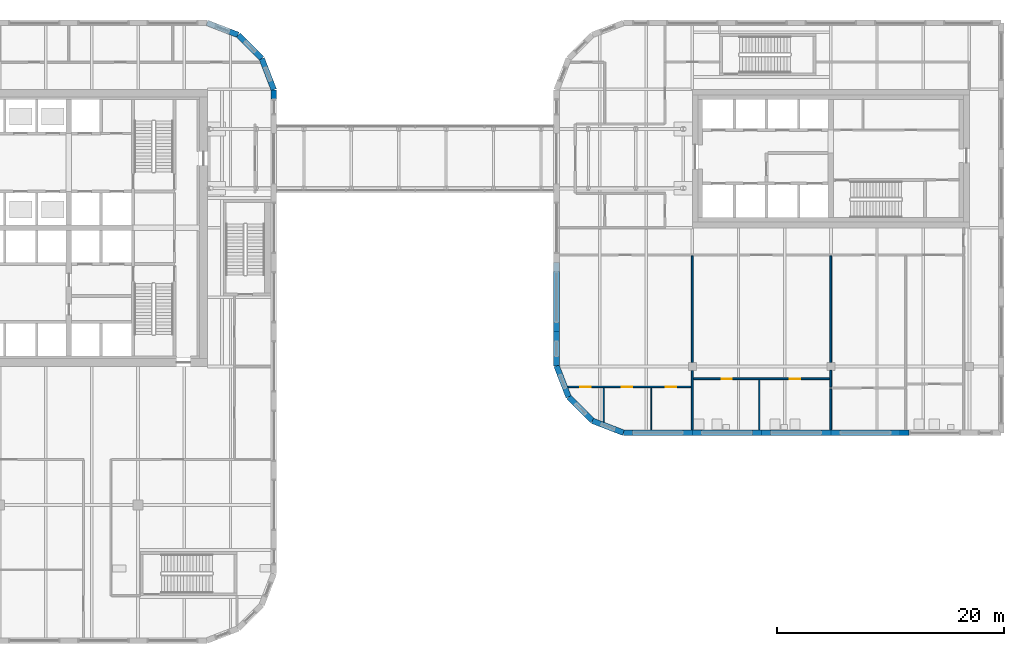
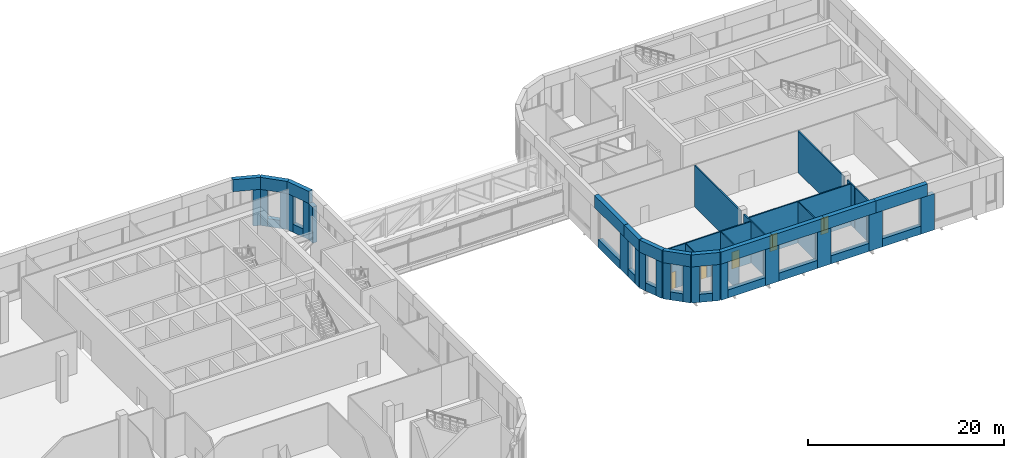
# One storey, part 26 of 36: 52 walls, 5 doors, 5 openings.
"""IFC4 building model written with IfcOpenShell, lengths in metres."""

from ifc_helpers import new_model, si_unit, direction, frame, frame_2d, origin, place, context, subcontext, project, spatial, polyline, rectangle, outline, extrude, faceted_brep, source, transform, mapped, material, layer, layer_set, type_object, element, fill, save


model = new_model("IFC4")

# Units and contexts
model_context = context("Model", 3, precision=1e-05, world=origin(), true_north=direction((0.0, 1.0)))
body_context = subcontext(model_context, "Body", "Model", "MODEL_VIEW")
ifc_project = project(units=[si_unit("LENGTHUNIT", "METRE"), si_unit("AREAUNIT", "SQUARE_METRE"), si_unit("VOLUMEUNIT", "CUBIC_METRE"), si_unit("PLANEANGLEUNIT", "RADIAN"), si_unit("MASSUNIT", "GRAM", prefix="KILO")], contexts=[model_context])

# Site, building, storey
site_placement = place(None, origin())
site = spatial("IfcSite", under=ifc_project, at=site_placement, CompositionType="ELEMENT")
building_placement = place(site_placement, origin())
building = spatial("IfcBuilding", under=site, at=building_placement, Name="Tessera Gate Towers", CompositionType="ELEMENT")
storey_placement = place(building_placement, frame((0.0, 0.0, 106.60009765625)))
storey = spatial("IfcBuildingStorey", under=building, at=storey_placement, Name="L26", CompositionType="ELEMENT", Elevation=106.60009765625)

# Walls
ifc_material_1 = material(Name="Gypsum board on steel studs", Category="steel")
ifc_layer_1 = layer(ifc_material_1, 0.10009765625)
ifc_layer_set_1 = layer_set([ifc_layer_1], Name="PARTITION 100")
wall_type_1 = type_object("IfcWallType", Name="PARTITION 100", PredefinedType="PARTITIONING", material=ifc_layer_set_1)
wall_1_placement = place(storey_placement, frame((93.972900390625, 18.800048828125, 0.0), z_axis=(0.0, 0.0, 1.0), x_axis=(0.0, 1.0, 0.0)))
element("IfcWall", 1, at=wall_1_placement, inside=storey, type_object=wall_type_1, Name="T2-L26-PW-001", PredefinedType="PARTITIONING", context=body_context, shape_type="SweptSolid", body=[
    extrude(rectangle(XDim=3.698974609375, YDim=0.10009765625, at=frame_2d((1.849609375, 0.0))), origin(), (0.0, 0.0, 1.0), 5.1669921875),
])
wall_2_placement = place(storey_placement, frame((103.493896484375, 18.800048828125, 0.0), z_axis=(0.0, 0.0, 1.0), x_axis=(0.0, 1.0, 0.0)))
element("IfcWall", 2, at=wall_2_placement, inside=storey, type_object=wall_type_1, Name="T2-L26-PW-003", PredefinedType="PARTITIONING", context=body_context, shape_type="SweptSolid", body=[
    extrude(rectangle(XDim=4.424072265625, YDim=0.10009765625, at=frame_2d((2.2119140625, 0.0))), origin(), (0.0, 0.0, 1.0), 5.1669921875),
])
wall_3_placement = place(storey_placement, frame((89.800048828125, 19.49169921875, 0.0), z_axis=(0.0, 0.0, 1.0), x_axis=(0.0, 1.0, 0.0)))
element("IfcWall", 3, at=wall_3_placement, inside=storey, type_object=wall_type_1, Name="T2-L26-PW-007", PredefinedType="PARTITIONING", context=body_context, shape_type="SweptSolid", body=[
    extrude(rectangle(XDim=3.00732421875, YDim=0.10009765625, at=frame_2d((1.503662109375, 0.0))), origin(), (0.0, 0.0, 1.0), 5.1669921875),
])
ifc_material_2 = material(Name="Gypsum board on steel studs, mineral wool", Category="steel")
ifc_layer_2 = layer(ifc_material_2, 0.14990234375)
ifc_layer_set_2 = layer_set([ifc_layer_2], Name="TENANCY WALL 150")
wall_type_2 = type_object("IfcWallType", Name="TENANCY WALL 150", PredefinedType="PARTITIONING", material=ifc_layer_set_2)
wall_4_placement = place(storey_placement, frame((97.60009765625, 18.800048828125, 0.0), z_axis=(0.0, 0.0, 1.0), x_axis=(0.0, 1.0, 0.0)))
element("IfcWall", 4, at=wall_4_placement, inside=storey, type_object=wall_type_2, Name="T2-L26-PW-002", PredefinedType="PARTITIONING", context=body_context, shape_type="SweptSolid", body=[
    extrude(rectangle(XDim=5.2490234375, YDim=0.14990234375, at=frame_2d((2.62451171875, 0.0))), origin(), (0.0, 0.0, 1.0), 5.1669921875),
])
wall_5_placement = place(storey_placement, frame((109.800048828125, 18.800048828125, 0.0), z_axis=(0.0, 0.0, 1.0), x_axis=(0.0, 1.0, 0.0)))
element("IfcWall", 5, at=wall_5_placement, inside=storey, type_object=wall_type_2, Name="T2-L26-PW-004", PredefinedType="PARTITIONING", context=body_context, shape_type="SweptSolid", body=[
    extrude(rectangle(XDim=3.6240234375, YDim=0.14990234375, at=frame_2d((1.81201171875, 0.0))), origin(), (0.0, 0.0, 1.0), 5.1669921875),
])

# Wall, openings, doors
wall_6_placement = place(storey_placement, frame((97.52392578125, 22.594970703125, 0.0), z_axis=(0.0, 0.0, 1.0), x_axis=(-1.0, 0.0, 0.0)))
wall_6 = element("IfcWall", 6, at=wall_6_placement, inside=storey, type_object=wall_type_2, Name="T2-L26-PW-009", PredefinedType="PARTITIONING", context=body_context, shape_type="SweptSolid", body=[
    extrude(rectangle(XDim=10.884033203125, YDim=0.14990234375, at=frame_2d((5.44189453125, 0.0))), origin(), (0.0, 0.0, 1.0), 5.1669921875),
])
shared_shape_1 = source(origin(), body_context, "Body", "SweptSolid", [
    extrude(rectangle(XDim=0.89990234375, YDim=2.10009765625, at=frame_2d((0.449951171875, 1.050048828125))), frame((0.0, 0.0849609375, 0.0), z_axis=(0.0, -1.0, 0.0), x_axis=(1.0, 0.0, 0.0)), (0.0, 0.0, 1.0), 0.169921875),
])
opening_1_placement = place(wall_6_placement, frame((8.884033203125, 0.0, 0.0)))
opening_1 = element("IfcOpeningElement", 7, at=opening_1_placement, cuts=wall_6, Name="Opening D190-B11-02", PredefinedType="OPENING", context=body_context, shape_type="MappedRepresentation", body=[
    mapped(shared_shape_1, transform((0.0, 0.0, 0.0), scale=1.0)),
])
opening_2_placement = place(wall_6_placement, frame((1.35009765625, 0.0, 0.0)))
opening_2 = element("IfcOpeningElement", 8, at=opening_2_placement, cuts=wall_6, Name="Opening D190-B11-03", PredefinedType="OPENING", context=body_context, shape_type="MappedRepresentation", body=[
    mapped(shared_shape_1, transform((0.0, 0.0, 0.0), scale=1.0)),
])
opening_3_placement = place(wall_6_placement, frame((5.22412109375, 0.0, 0.0)))
opening_3 = element("IfcOpeningElement", 9, at=opening_3_placement, cuts=wall_6, Name="Opening D190-B11-04", PredefinedType="OPENING", context=body_context, shape_type="MappedRepresentation", body=[
    mapped(shared_shape_1, transform((0.0, 0.0, 0.0), scale=1.0)),
])
ifc_material_3 = material(Name="Timber door leaf in steel frame", Category="steel")
door_type = type_object("IfcDoorType", Name="INTERNAL DOOR 900 NOT RATED", OperationType="NOTDEFINED", PredefinedType="DOOR", material=ifc_material_3)
shared_shape_2 = source(origin(), body_context, "Body", "SweptSolid", [
    extrude(rectangle(XDim=0.89990234375, YDim=2.10009765625, at=frame_2d((0.449951171875, 1.050048828125))), frame((0.0, 0.02490234375, 0.0), z_axis=(0.0, -1.0, 0.0), x_axis=(1.0, 0.0, 0.0)), (0.0, 0.0, 1.0), 0.050048828125),
])
door_1_placement = place(opening_1_placement, origin())
door_1 = element("IfcDoor", 10, at=door_1_placement, inside=storey, type_object=door_type, Name="T2-L26-PD-002", OperationType="SINGLE_SWING_RIGHT", OverallHeight=2.10009765625, OverallWidth=0.89990234375, PredefinedType="DOOR", context=body_context, shape_type="MappedRepresentation", body=[
    mapped(shared_shape_2, transform((0.0, 0.0, 0.0), scale=1.0)),
])
fill(opening_1, door_1)
door_2_placement = place(opening_2_placement, origin())
door_2 = element("IfcDoor", 11, at=door_2_placement, inside=storey, type_object=door_type, Name="T2-L26-PD-003", OperationType="SINGLE_SWING_RIGHT", OverallHeight=2.10009765625, OverallWidth=0.89990234375, PredefinedType="DOOR", context=body_context, shape_type="MappedRepresentation", body=[
    mapped(shared_shape_2, transform((0.0, 0.0, 0.0), scale=1.0)),
])
fill(opening_2, door_2)
door_3_placement = place(opening_3_placement, origin())
door_3 = element("IfcDoor", 12, at=door_3_placement, inside=storey, type_object=door_type, Name="T2-L26-PD-004", OperationType="SINGLE_SWING_RIGHT", OverallHeight=2.10009765625, OverallWidth=0.89990234375, PredefinedType="DOOR", context=body_context, shape_type="MappedRepresentation", body=[
    mapped(shared_shape_2, transform((0.0, 0.0, 0.0), scale=1.0)),
])
fill(opening_3, door_3)

# Wall
wall_7_placement = place(storey_placement, frame((109.800048828125, 22.575927734375, 0.0), z_axis=(0.0, 0.0, 1.0), x_axis=(0.0, 1.0, 0.0)))
element("IfcWall", 13, at=wall_7_placement, inside=storey, type_object=wall_type_2, Name="T2-L26-PW-010", PredefinedType="PARTITIONING", context=body_context, shape_type="SweptSolid", body=[
    extrude(rectangle(XDim=1.47314453125, YDim=0.14990234375, at=frame_2d((0.736572265625, 0.0))), origin(), (0.0, 0.0, 1.0), 5.1669921875),
])

# Wall, openings, doors
wall_8_placement = place(storey_placement, frame((109.72412109375, 23.300048828125, 0.0), z_axis=(0.0, 0.0, 1.0), x_axis=(-1.0, 0.0, 0.0)))
wall_8 = element("IfcWall", 14, at=wall_8_placement, inside=storey, type_object=wall_type_2, Name="T2-L26-PW-013", PredefinedType="PARTITIONING", context=body_context, shape_type="SweptSolid", body=[
    extrude(rectangle(XDim=12.048095703125, YDim=0.14990234375, at=frame_2d((6.02392578125, 0.0))), origin(), (0.0, 0.0, 1.0), 5.1669921875),
])
opening_4_placement = place(wall_8_placement, frame((8.64794921875, 0.0, 0.0)))
opening_4 = element("IfcOpeningElement", 15, at=opening_4_placement, cuts=wall_8, Name="Opening D190-B11-06", PredefinedType="OPENING", context=body_context, shape_type="MappedRepresentation", body=[
    mapped(shared_shape_1, transform((0.0, 0.0, 0.0), scale=1.0)),
])
opening_5_placement = place(wall_8_placement, frame((2.63037109375, 0.0, 0.0)))
opening_5 = element("IfcOpeningElement", 16, at=opening_5_placement, cuts=wall_8, Name="Opening D190-B11-07", PredefinedType="OPENING", context=body_context, shape_type="MappedRepresentation", body=[
    mapped(shared_shape_1, transform((0.0, 0.0, 0.0), scale=1.0)),
])
door_4_placement = place(opening_4_placement, origin())
door_4 = element("IfcDoor", 17, at=door_4_placement, inside=storey, type_object=door_type, Name="T2-L26-PD-009", OperationType="SINGLE_SWING_RIGHT", OverallHeight=2.10009765625, OverallWidth=0.89990234375, PredefinedType="DOOR", context=body_context, shape_type="MappedRepresentation", body=[
    mapped(shared_shape_2, transform((0.0, 0.0, 0.0), scale=1.0)),
])
fill(opening_4, door_4)
door_5_placement = place(opening_5_placement, origin())
door_5 = element("IfcDoor", 18, at=door_5_placement, inside=storey, type_object=door_type, Name="T2-L26-PD-010", OperationType="SINGLE_SWING_RIGHT", OverallHeight=2.10009765625, OverallWidth=0.89990234375, PredefinedType="DOOR", context=body_context, shape_type="MappedRepresentation", body=[
    mapped(shared_shape_2, transform((0.0, 0.0, 0.0), scale=1.0)),
])
fill(opening_5, door_5)

# Walls
for number, where, z_axis, x_axis, name in (
    (19, (97.60009765625, 24.7509765625, 0.0), (0.0, 0.0, 1.0), (0.0, 1.0, 0.0), "T2-L26-PW-014"),
    (20, (109.800048828125, 24.7509765625, 0.0), (0.0, 0.0, 1.0), (0.0, 1.0, 0.0), "T2-L26-PW-015"),
):
    element("IfcWall", number, at=place(storey_placement, frame(where, z_axis=z_axis, x_axis=x_axis)), inside=storey, type_object=wall_type_2, Name=name, PredefinedType="PARTITIONING", context=body_context, shape_type="SweptSolid", body=[
        extrude(rectangle(XDim=9.373046875, YDim=0.14990234375, at=frame_2d((4.6865234375, 0.0))), origin(), (0.0, 0.0, 1.0), 5.1669921875),
    ])
ifc_material_4 = material(Name="Precast concrete C60/75 white", Category="concrete")
ifc_layer_3 = layer(ifc_material_4, 0.5)
ifc_layer_set_3 = layer_set([ifc_layer_3], Name="RB1 ring band panel")
wall_type_3 = type_object("IfcWallType", Name="RB1 ring band panel", PredefinedType="SOLIDWALL", material=ifc_layer_set_3)
shared_shape_3 = source(origin(), body_context, "Body", "Brep", [
    faceted_brep([(0.0, -0.25, 0.0), (0.800048828125, -0.25, 0.0), (0.800048828125, -0.25, 4.5), (0.0, -0.25, 4.5), (0.046630859375, 0.25, 4.5), (0.800048828125, 0.25, 4.5), (0.800048828125, 0.25, 0.0), (0.046630859375, 0.25, 0.0), (0.0, 0.0, 0.0), (0.0, 0.0, 4.5)], [[[0, 1, 2, 3]], [[4, 5, 6, 7]], [[7, 6, 1, 0, 8]], [[5, 4, 9, 3, 2]], [[8, 0, 3, 9]], [[7, 8, 9, 4]], [[1, 6, 5, 2]]]),
])
for number, where, z_axis, x_axis, name in (
    (21, (60.75, 48.75341796875, 0.0), (0.0, 0.0, 1.0), (-0.359735468129, 0.933054335486, 0.0), "Ring band panel T1 RB1-0146"),
    (22, (91.546630859375, 18.550048828125, 0.0), (0.0, 0.0, 1.0), (1.0, 0.0, 0.0), "Ring band panel T2 RB1-0023"),
    (23, (85.64990234375, 24.446533203125, 0.0), (0.0, 0.0, 1.0), (0.360103552367, -0.932912338632, 0.0), "Ring band panel T2 RB1-0107"),
):
    element("IfcWall", number, at=place(storey_placement, frame(where, z_axis=z_axis, x_axis=x_axis)), inside=storey, type_object=wall_type_3, Name=name, PredefinedType="SOLIDWALL", context=body_context, shape_type="MappedRepresentation", body=[
        mapped(shared_shape_3, transform((0.0, 0.0, 0.0), scale=1.0)),
    ])
shared_shape_4 = source(origin(), body_context, "Body", "Brep", [
    faceted_brep([(0.0, -0.25, 0.0), (1.599853515625, -0.25, 0.0), (1.599853515625, -0.25, 4.5), (0.0, -0.25, 4.5), (0.0, 0.25, 4.5), (1.599853515625, 0.25, 4.5), (1.599853515625, 0.25, 0.0), (0.0, 0.25, 0.0)], [[[0, 1, 2, 3]], [[4, 5, 6, 7]], [[7, 6, 1, 0]], [[5, 4, 3, 2]], [[4, 7, 0, 3]], [[1, 6, 5, 2]]]),
])
for number, where, z_axis, x_axis, name in (
    (24, (96.800048828125, 18.550048828125, 0.0), (0.0, 0.0, 1.0), (1.0, 0.0, 0.0), "Ring band panel T2 RB1-0024"),
    (25, (115.10009765625, 18.550048828125, 0.0), (0.0, 0.0, 1.0), (1.0, 0.0, 0.0), "Ring band panel T2 RB1-0027"),
):
    element("IfcWall", number, at=place(storey_placement, frame(where, z_axis=z_axis, x_axis=x_axis)), inside=storey, type_object=wall_type_3, Name=name, PredefinedType="SOLIDWALL", context=body_context, shape_type="MappedRepresentation", body=[
        mapped(shared_shape_4, transform((0.0, 0.0, 0.0), scale=1.0)),
    ])
shared_shape_5 = source(origin(), body_context, "Body", "SweptSolid", [
    extrude(outline(polyline([(0.0, 0.0), (1.60009765625, 0.0), (1.60009765625, 4.5), (0.0, 4.5), (0.0, 0.0)])), frame((0.0, 0.25, 0.0), z_axis=(0.0, -1.0, 0.0), x_axis=(1.0, 0.0, 0.0)), (0.0, 0.0, 1.0), 0.5),
])
for number, where, z_axis, x_axis, name in (
    (26, (102.89990234375, 18.550048828125, 0.0), (0.0, 0.0, 1.0), (1.0, 0.0, 0.0), "Ring band panel T2 RB1-0025"),
    (27, (109.0, 18.550048828125, 0.0), (0.0, 0.0, 1.0), (1.0, 0.0, 0.0), "Ring band panel T2 RB1-0026"),
    (28, (85.64990234375, 28.25, 0.0), (0.0, 0.0, 1.0), (0.0, -1.0, 0.0), "Ring band panel T2 RB1-0096"),
):
    element("IfcWall", number, at=place(storey_placement, frame(where, z_axis=z_axis, x_axis=x_axis)), inside=storey, type_object=wall_type_3, Name=name, PredefinedType="SOLIDWALL", context=body_context, shape_type="MappedRepresentation", body=[
        mapped(shared_shape_5, transform((0.0, 0.0, 0.0), scale=1.0)),
    ])
shared_shape_6 = source(origin(), body_context, "Body", "Brep", [
    faceted_brep([(0.0, -0.25, 0.0), (0.800048828125, -0.25, 0.0), (0.800048828125, -0.25, 4.5), (0.0, -0.25, 4.5), (0.0, 0.25, 4.5), (0.75341796875, 0.25, 4.5), (0.75341796875, 0.25, 0.0), (0.0, 0.25, 0.0), (0.800048828125, -0.000244140625, 0.0), (0.800048828125, -0.000244140625, 4.5)], [[[0, 1, 2, 3]], [[4, 5, 6, 7]], [[7, 6, 8, 1, 0]], [[9, 2, 1, 8]], [[5, 4, 3, 2, 9]], [[4, 7, 0, 3]], [[8, 6, 5, 9]]]),
])
for number, where, z_axis, x_axis, name in (
    (29, (60.75, 47.953369140625, 0.0), (0.0, 0.0, 1.0), (0.0, 1.0, 0.0), "Ring band panel T1 RB1-0130"),
    (30, (85.64990234375, 25.24658203125, 0.0), (0.0, 0.0, 1.0), (0.0, -1.0, 0.0), "Ring band panel T2 RB1-0097"),
    (31, (90.800048828125, 18.837890625, 0.0), (0.0, 0.0, 1.0), (0.933054335486, -0.359735468129, 0.0), "Ring band panel T2 RB1-0116"),
):
    element("IfcWall", number, at=place(storey_placement, frame(where, z_axis=z_axis, x_axis=x_axis)), inside=storey, type_object=wall_type_3, Name=name, PredefinedType="SOLIDWALL", context=body_context, shape_type="MappedRepresentation", body=[
        mapped(shared_shape_6, transform((0.0, 0.0, 0.0), scale=1.0)),
    ])
shared_shape_7 = source(origin(), body_context, "Body", "SweptSolid", [
    extrude(outline(polyline([(0.0, 0.0), (4.453369140625, 0.0), (4.453369140625, 1.0), (0.0, 1.0), (0.0, 0.0)])), frame((0.0, 0.25, 0.0), z_axis=(0.0, -1.0, 0.0), x_axis=(1.0, 0.0, 0.0)), (0.0, 0.0, 1.0), 0.5),
])
wall_9_placement = place(storey_placement, frame((92.346435546875, 18.550048828125, 0.0), z_axis=(0.0, 0.0, 1.0), x_axis=(1.0, 0.0, 0.0)))
element("IfcWall", 32, at=wall_9_placement, inside=storey, type_object=wall_type_3, Name="Ring band panel T2 RB1-0030", PredefinedType="SOLIDWALL", context=body_context, shape_type="MappedRepresentation", body=[
    mapped(shared_shape_7, transform((0.0, 0.0, 0.0), scale=1.0)),
])
shared_shape_8 = source(origin(), body_context, "Body", "Brep", [
    faceted_brep([(0.0, -0.25, 0.0), (6.053466796875, -0.25, 0.0), (6.053466796875, -0.25, 1.5), (0.0, -0.25, 1.5), (0.046630859375, 0.25, 1.5), (6.053466796875, 0.25, 1.5), (6.053466796875, 0.25, 0.0), (0.046630859375, 0.25, 0.0), (0.0, 0.0, 0.0), (0.0, 0.0, 1.5)], [[[0, 1, 2, 3]], [[4, 5, 6, 7]], [[7, 6, 1, 0, 8]], [[5, 4, 9, 3, 2]], [[8, 0, 3, 9]], [[7, 8, 9, 4]], [[1, 6, 5, 2]]]),
])
wall_10_placement = place(storey_placement, frame((91.546630859375, 18.550048828125, 4.5), z_axis=(0.0, 0.0, 1.0), x_axis=(1.0, 0.0, 0.0)))
element("IfcWall", 33, at=wall_10_placement, inside=storey, type_object=wall_type_3, Name="Ring band panel T2 RB1-0031", PredefinedType="SOLIDWALL", context=body_context, shape_type="MappedRepresentation", body=[
    mapped(shared_shape_8, transform((0.0, 0.0, 0.0), scale=1.0)),
])
shared_shape_9 = source(origin(), body_context, "Body", "SweptSolid", [
    extrude(outline(polyline([(0.0, 0.0), (4.5, 0.0), (4.5, 1.0), (0.0, 1.0), (0.0, 0.0)])), frame((0.0, 0.25, 0.0), z_axis=(0.0, -1.0, 0.0), x_axis=(1.0, 0.0, 0.0)), (0.0, 0.0, 1.0), 0.5),
])
for number, where, z_axis, x_axis, name in (
    (34, (98.39990234375, 18.550048828125, 0.0), (0.0, 0.0, 1.0), (1.0, 0.0, 0.0), "Ring band panel T2 RB1-0032"),
    (35, (104.5, 18.550048828125, 0.0), (0.0, 0.0, 1.0), (1.0, 0.0, 0.0), "Ring band panel T2 RB1-0034"),
    (36, (110.60009765625, 18.550048828125, 0.0), (0.0, 0.0, 1.0), (1.0, 0.0, 0.0), "Ring band panel T2 RB1-0036"),
    (37, (85.64990234375, 32.75, 0.0), (0.0, 0.0, 1.0), (0.0, -1.0, 0.0), "Ring band panel T2 RB1-0103"),
):
    element("IfcWall", number, at=place(storey_placement, frame(where, z_axis=z_axis, x_axis=x_axis)), inside=storey, type_object=wall_type_3, Name=name, PredefinedType="SOLIDWALL", context=body_context, shape_type="MappedRepresentation", body=[
        mapped(shared_shape_9, transform((0.0, 0.0, 0.0), scale=1.0)),
    ])
shared_shape_10 = source(origin(), body_context, "Body", "Brep", [
    faceted_brep([(0.0, -0.25, 0.0), (6.099853515625, -0.25, 0.0), (6.099853515625, -0.25, 1.5), (0.0, -0.25, 1.5), (0.0, 0.25, 1.5), (6.099853515625, 0.25, 1.5), (6.099853515625, 0.25, 0.0), (0.0, 0.25, 0.0)], [[[0, 1, 2, 3]], [[4, 5, 6, 7]], [[7, 6, 1, 0]], [[5, 4, 3, 2]], [[4, 7, 0, 3]], [[1, 6, 5, 2]]]),
])
for number, where, z_axis, x_axis, name in (
    (38, (97.60009765625, 18.550048828125, 4.5), (0.0, 0.0, 1.0), (1.0, 0.0, 0.0), "Ring band panel T2 RB1-0033"),
    (39, (109.800048828125, 18.550048828125, 4.5), (0.0, 0.0, 1.0), (1.0, 0.0, 0.0), "Ring band panel T2 RB1-0037"),
):
    element("IfcWall", number, at=place(storey_placement, frame(where, z_axis=z_axis, x_axis=x_axis)), inside=storey, type_object=wall_type_3, Name=name, PredefinedType="SOLIDWALL", context=body_context, shape_type="MappedRepresentation", body=[
        mapped(shared_shape_10, transform((0.0, 0.0, 0.0), scale=1.0)),
    ])
shared_shape_11 = source(origin(), body_context, "Body", "SweptSolid", [
    extrude(outline(polyline([(0.0, 0.0), (6.10009765625, 0.0), (6.10009765625, 1.5), (0.0, 1.5), (0.0, 0.0)])), frame((0.0, 0.25, 0.0), z_axis=(0.0, -1.0, 0.0), x_axis=(1.0, 0.0, 0.0)), (0.0, 0.0, 1.0), 0.5),
])
for number, where, z_axis, x_axis, name in (
    (40, (103.699951171875, 18.550048828125, 4.5), (0.0, 0.0, 1.0), (1.0, 0.0, 0.0), "Ring band panel T2 RB1-0035"),
    (41, (85.64990234375, 33.550048828125, 4.5), (0.0, 0.0, 1.0), (0.0, -1.0, 0.0), "Ring band panel T2 RB1-0104"),
):
    element("IfcWall", number, at=place(storey_placement, frame(where, z_axis=z_axis, x_axis=x_axis)), inside=storey, type_object=wall_type_3, Name=name, PredefinedType="SOLIDWALL", context=body_context, shape_type="MappedRepresentation", body=[
        mapped(shared_shape_11, transform((0.0, 0.0, 0.0), scale=1.0)),
    ])
shared_shape_12 = source(origin(), body_context, "Body", "Brep", [
    faceted_brep([(0.0, -0.25, 0.0), (0.800048828125, -0.25, 0.0), (0.800048828125, -0.25, 4.5), (0.0, -0.25, 4.5), (0.0, 0.25, 4.5), (0.7470703125, 0.25, 4.5), (0.7470703125, 0.25, 0.0), (0.0, 0.25, 0.0), (0.800048828125, -0.000244140625, 0.0), (0.800048828125, -0.000244140625, 4.5)], [[[0, 1, 2, 3]], [[4, 5, 6, 7]], [[7, 6, 8, 1, 0]], [[9, 2, 1, 8]], [[5, 4, 3, 2, 9]], [[4, 7, 0, 3]], [[8, 6, 5, 9]]]),
])
for number, where, z_axis, x_axis, name in (
    (42, (58.171875, 53.0224609375, 0.0), (0.0, 0.0, 1.0), (-0.707106781187, 0.707106781187, 0.0), "Ring band panel T1 RB1-0151"),
    (43, (86.424072265625, 22.440185546875, 0.0), (0.0, 0.0, 1.0), (0.359735468129, -0.933054335486, 0.0), "Ring band panel T2 RB1-0108"),
    (44, (88.22802734375, 20.177490234375, 0.0), (0.0, 0.0, 1.0), (0.707106781187, -0.707106781187, 0.0), "Ring band panel T2 RB1-0112"),
):
    element("IfcWall", number, at=place(storey_placement, frame(where, z_axis=z_axis, x_axis=x_axis)), inside=storey, type_object=wall_type_3, Name=name, PredefinedType="SOLIDWALL", context=body_context, shape_type="MappedRepresentation", body=[
        mapped(shared_shape_12, transform((0.0, 0.0, 0.0), scale=1.0)),
    ])
shared_shape_13 = source(origin(), body_context, "Body", "SweptSolid", [
    extrude(outline(polyline([(0.0, 0.0), (1.3505859375, 0.0), (1.3505859375, 1.0), (0.0, 1.0), (0.0, 0.0)])), frame((0.0, 0.25, 0.0), z_axis=(0.0, -1.0, 0.0), x_axis=(1.0, 0.0, 0.0)), (0.0, 0.0, 1.0), 0.5),
])
for number, where, z_axis, x_axis, name in (
    (45, (60.462158203125, 49.499755859375, 0.0), (0.0, 0.0, 1.0), (-0.359923772835, 0.932981713512, 0.0), "Ring band panel T1 RB1-0148"),
    (46, (85.93798828125, 23.7001953125, 0.0), (0.0, 0.0, 1.0), (0.359923772835, -0.932981713512, 0.0), "Ring band panel T2 RB1-0109"),
    (47, (89.5400390625, 19.323974609375, 0.0), (0.0, 0.0, 1.0), (0.932981713512, -0.359923772835, 0.0), "Ring band panel T2 RB1-0117"),
):
    element("IfcWall", number, at=place(storey_placement, frame(where, z_axis=z_axis, x_axis=x_axis)), inside=storey, type_object=wall_type_3, Name=name, PredefinedType="SOLIDWALL", context=body_context, shape_type="MappedRepresentation", body=[
        mapped(shared_shape_13, transform((0.0, 0.0, 0.0), scale=1.0)),
    ])
shared_shape_14 = source(origin(), body_context, "Body", "Brep", [
    faceted_brep([(0.0, -0.25, 0.0), (2.950439453125, -0.25, 0.0), (2.950439453125, -0.25, 1.5), (0.0, -0.25, 1.5), (0.046630859375, 0.25, 1.5), (2.897705078125, 0.25, 1.5), (2.897705078125, 0.25, 0.0), (0.046630859375, 0.25, 0.0), (2.950439453125, 0.00048828125, 0.0), (0.0, 0.0, 0.0), (2.950439453125, 0.00048828125, 1.5), (0.0, 0.0, 1.5)], [[[0, 1, 2, 3]], [[4, 5, 6, 7]], [[7, 6, 8, 1, 0, 9]], [[10, 2, 1, 8]], [[5, 4, 11, 3, 2, 10]], [[9, 0, 3, 11]], [[7, 9, 11, 4]], [[8, 6, 5, 10]]]),
])
for number, where, z_axis, x_axis, name in (
    (48, (60.75, 48.75341796875, 4.5), (0.0, 0.0, 1.0), (-0.359877213415, 0.932999673775, 0.0), "Ring band panel T1 RB1-0149"),
    (49, (85.64990234375, 24.446533203125, 4.5), (0.0, 0.0, 1.0), (0.359949242603, -0.932971887438, 0.0), "Ring band panel T2 RB1-0110"),
):
    element("IfcWall", number, at=place(storey_placement, frame(where, z_axis=z_axis, x_axis=x_axis)), inside=storey, type_object=wall_type_3, Name=name, PredefinedType="SOLIDWALL", context=body_context, shape_type="MappedRepresentation", body=[
        mapped(shared_shape_14, transform((0.0, 0.0, 0.0), scale=1.0)),
    ])
shared_shape_15 = source(origin(), body_context, "Body", "Brep", [
    faceted_brep([(0.0, -0.25, 0.0), (0.800048828125, -0.25, 0.0), (0.800048828125, -0.25, 4.5), (0.0, -0.25, 4.5), (0.052978515625, 0.25, 4.5), (0.800048828125, 0.25, 4.5), (0.800048828125, 0.25, 0.0), (0.052978515625, 0.25, 0.0), (0.0, 0.0, 0.0), (0.0, 0.0, 4.5)], [[[0, 1, 2, 3]], [[4, 5, 6, 7]], [[7, 6, 1, 0, 8]], [[5, 4, 9, 3, 2]], [[8, 0, 3, 9]], [[7, 8, 9, 4]], [[1, 6, 5, 2]]]),
])
for number, where, z_axis, x_axis, name in (
    (50, (59.68798828125, 51.50634765625, 0.0), (0.0, 0.0, 1.0), (-0.707106781187, 0.707106781187, 0.0), "Ring band panel T1 RB1-0150"),
    (51, (86.7119140625, 21.69384765625, 0.0), (0.0, 0.0, 1.0), (0.706954206636, -0.707259322823, 0.0), "Ring band panel T2 RB1-0111"),
    (52, (88.793701171875, 19.61181640625, 0.0), (0.0, 0.0, 1.0), (0.933054335486, -0.359735468129, 0.0), "Ring band panel T2 RB1-0115"),
):
    element("IfcWall", number, at=place(storey_placement, frame(where, z_axis=z_axis, x_axis=x_axis)), inside=storey, type_object=wall_type_3, Name=name, PredefinedType="SOLIDWALL", context=body_context, shape_type="MappedRepresentation", body=[
        mapped(shared_shape_15, transform((0.0, 0.0, 0.0), scale=1.0)),
    ])
shared_shape_16 = source(origin(), body_context, "Body", "SweptSolid", [
    extrude(outline(polyline([(0.0, 0.0), (1.34423828125, 0.0), (1.34423828125, 1.0), (0.0, 1.0), (0.0, 0.0)])), frame((0.0, 0.25, 0.0), z_axis=(0.0, -1.0, 0.0), x_axis=(1.0, 0.0, 0.0)), (0.0, 0.0, 1.0), 0.5),
])
for number, where, z_axis, x_axis, name in (
    (53, (59.122314453125, 52.072021484375, 0.0), (0.0, 0.0, 1.0), (-0.707106781187, 0.707106781187, 0.0), "Ring band panel T1 RB1-0152"),
    (54, (87.277587890625, 21.1279296875, 0.0), (0.0, 0.0, 1.0), (0.707106781187, -0.707106781187, 0.0), "Ring band panel T2 RB1-0113"),
):
    element("IfcWall", number, at=place(storey_placement, frame(where, z_axis=z_axis, x_axis=x_axis)), inside=storey, type_object=wall_type_3, Name=name, PredefinedType="SOLIDWALL", context=body_context, shape_type="MappedRepresentation", body=[
        mapped(shared_shape_16, transform((0.0, 0.0, 0.0), scale=1.0)),
    ])
shared_shape_17 = source(origin(), body_context, "Body", "Brep", [
    faceted_brep([(0.0, -0.25, 0.0), (2.944091796875, -0.25, 0.0), (2.944091796875, -0.25, 1.5), (0.0, -0.25, 1.5), (0.052978515625, 0.25, 1.5), (2.89111328125, 0.25, 1.5), (2.89111328125, 0.25, 0.0), (0.052978515625, 0.25, 0.0), (2.944091796875, 0.000244140625, 0.0), (0.0, 0.0, 0.0), (2.944091796875, 0.000244140625, 1.5), (0.0, 0.0, 1.5)], [[[0, 1, 2, 3]], [[4, 5, 6, 7]], [[7, 6, 8, 1, 0, 9]], [[10, 2, 1, 8]], [[5, 4, 11, 3, 2, 10]], [[9, 0, 3, 11]], [[7, 9, 11, 4]], [[8, 6, 5, 10]]]),
])
for number, where, z_axis, x_axis, name in (
    (55, (59.68798828125, 51.50634765625, 4.5), (0.0, 0.0, 1.0), (-0.707106781187, 0.707106781187, 0.0), "Ring band panel T1 RB1-0153"),
    (56, (86.7119140625, 21.69384765625, 4.5), (0.0, 0.0, 1.0), (0.707106781187, -0.707106781187, 0.0), "Ring band panel T2 RB1-0114"),
):
    element("IfcWall", number, at=place(storey_placement, frame(where, z_axis=z_axis, x_axis=x_axis)), inside=storey, type_object=wall_type_3, Name=name, PredefinedType="SOLIDWALL", context=body_context, shape_type="MappedRepresentation", body=[
        mapped(shared_shape_17, transform((0.0, 0.0, 0.0), scale=1.0)),
    ])
shared_shape_18 = source(origin(), body_context, "Body", "Brep", [
    faceted_brep([(0.0, -0.25, 0.0), (2.950439453125, -0.25, 0.0), (2.950439453125, -0.25, 1.5), (0.0, -0.25, 1.5), (0.052978515625, 0.25, 1.5), (2.904052734375, 0.25, 1.5), (2.904052734375, 0.25, 0.0), (0.052978515625, 0.25, 0.0), (2.950439453125, 0.00048828125, 0.0), (0.0, 0.0, 0.0), (2.950439453125, 0.00048828125, 1.5), (0.0, 0.0, 1.5)], [[[0, 1, 2, 3]], [[4, 5, 6, 7]], [[7, 6, 8, 1, 0, 9]], [[10, 2, 1, 8]], [[5, 4, 11, 3, 2, 10]], [[9, 0, 3, 11]], [[7, 9, 11, 4]], [[8, 6, 5, 10]]]),
])
for number, where, z_axis, x_axis, name in (
    (57, (57.606201171875, 53.588134765625, 4.5), (0.0, 0.0, 1.0), (-0.932999673775, 0.359877213415, 0.0), "Ring band panel T1 RB1-0157"),
    (58, (88.793701171875, 19.61181640625, 4.5), (0.0, 0.0, 1.0), (0.932999673775, -0.359877213415, 0.0), "Ring band panel T2 RB1-0118"),
):
    element("IfcWall", number, at=place(storey_placement, frame(where, z_axis=z_axis, x_axis=x_axis)), inside=storey, type_object=wall_type_3, Name=name, PredefinedType="SOLIDWALL", context=body_context, shape_type="MappedRepresentation", body=[
        mapped(shared_shape_18, transform((0.0, 0.0, 0.0), scale=1.0)),
    ])
shared_shape_19 = source(origin(), body_context, "Body", "Brep", [
    faceted_brep([(0.0, -0.25, 0.0), (1.4033203125, -0.25, 0.0), (1.4033203125, -0.25, 1.0), (0.0, -0.25, 1.0), (0.0, 0.25, 1.0), (1.4033203125, 0.25, 1.0), (1.4033203125, 0.25, 0.0), (0.0, 0.25, 0.0)], [[[0, 1, 2, 3]], [[4, 5, 6, 7]], [[7, 6, 1, 0]], [[5, 4, 3, 2]], [[4, 7, 0, 3]], [[1, 6, 5, 2]]]),
])
wall_11_placement = place(storey_placement, frame((85.64990234375, 26.64990234375, 0.0), z_axis=(0.0, 0.0, 1.0), x_axis=(0.0, -1.0, 0.0)))
element("IfcWall", 59, at=wall_11_placement, inside=storey, type_object=wall_type_3, Name="Ring band panel T2 RB1-0105", PredefinedType="SOLIDWALL", context=body_context, shape_type="MappedRepresentation", body=[
    mapped(shared_shape_19, transform((0.0, 0.0, 0.0), scale=1.0)),
])
shared_shape_20 = source(origin(), body_context, "Body", "Brep", [
    faceted_brep([(0.0, -0.25, 0.0), (3.00341796875, -0.25, 0.0), (3.00341796875, -0.25, 1.5), (0.0, -0.25, 1.5), (0.0, 0.25, 1.5), (2.956787109375, 0.25, 1.5), (2.956787109375, 0.25, 0.0), (0.0, 0.25, 0.0), (3.00341796875, 0.000244140625, 0.0), (3.00341796875, 0.000244140625, 1.5)], [[[0, 1, 2, 3]], [[4, 5, 6, 7]], [[7, 6, 8, 1, 0]], [[9, 2, 1, 8]], [[5, 4, 3, 2, 9]], [[4, 7, 0, 3]], [[8, 6, 5, 9]]]),
])
wall_12_placement = place(storey_placement, frame((85.64990234375, 27.449951171875, 4.5), z_axis=(0.0, 0.0, 1.0), x_axis=(0.0, -1.0, 0.0)))
element("IfcWall", 60, at=wall_12_placement, inside=storey, type_object=wall_type_3, Name="Ring band panel T2 RB1-0106", PredefinedType="SOLIDWALL", context=body_context, shape_type="MappedRepresentation", body=[
    mapped(shared_shape_20, transform((0.0, 0.0, 0.0), scale=1.0)),
])
shared_shape_21 = source(origin(), body_context, "Body", "Brep", [
    faceted_brep([(0.0, -0.25, 0.0), (0.800048828125, -0.25, 0.0), (0.800048828125, -0.25, 4.5), (0.0, -0.25, 4.5), (0.0, 0.25, 4.5), (0.7470703125, 0.25, 4.5), (0.7470703125, 0.25, 0.0), (0.0, 0.25, 0.0), (0.800048828125, -0.000244140625, 0.0), (0.800048828125, -0.000244140625, 4.5)], [[[0, 1, 2, 3]], [[4, 5, 6, 7]], [[7, 6, 8, 1, 0]], [[9, 2, 1, 8]], [[5, 4, 3, 2, 9]], [[4, 7, 0, 3]], [[8, 6, 5, 9]]]),
])
wall_13_placement = place(storey_placement, frame((59.97607421875, 50.759765625, 0.0), z_axis=(0.0, 0.0, 1.0), x_axis=(-0.360001058183, 0.932951894851, 0.0)))
element("IfcWall", 61, at=wall_13_placement, inside=storey, type_object=wall_type_3, Name="Ring band panel T1 RB1-0147", PredefinedType="SOLIDWALL", context=body_context, shape_type="MappedRepresentation", body=[
    mapped(shared_shape_21, transform((0.0, 0.0, 0.0), scale=1.0)),
])
shared_shape_22 = source(origin(), body_context, "Body", "Brep", [
    faceted_brep([(0.0, -0.25, 0.0), (0.800048828125, -0.25, 0.0), (0.800048828125, -0.25, 4.5), (0.0, -0.25, 4.5), (0.052978515625, 0.25, 4.5), (0.800048828125, 0.25, 4.5), (0.800048828125, 0.25, 0.0), (0.052978515625, 0.25, 0.0), (0.0, 0.0, 0.0), (0.0, 0.0, 4.5)], [[[0, 1, 2, 3]], [[4, 5, 6, 7]], [[7, 6, 1, 0, 8]], [[5, 4, 9, 3, 2]], [[8, 0, 3, 9]], [[7, 8, 9, 4]], [[1, 6, 5, 2]]]),
])
wall_14_placement = place(storey_placement, frame((57.606201171875, 53.588134765625, 0.0), z_axis=(0.0, 0.0, 1.0), x_axis=(-0.93301483327, 0.3598379092, 0.0)))
element("IfcWall", 62, at=wall_14_placement, inside=storey, type_object=wall_type_3, Name="Ring band panel T1 RB1-0154", PredefinedType="SOLIDWALL", context=body_context, shape_type="MappedRepresentation", body=[
    mapped(shared_shape_22, transform((0.0, 0.0, 0.0), scale=1.0)),
])

save(model, "model.ifc")
